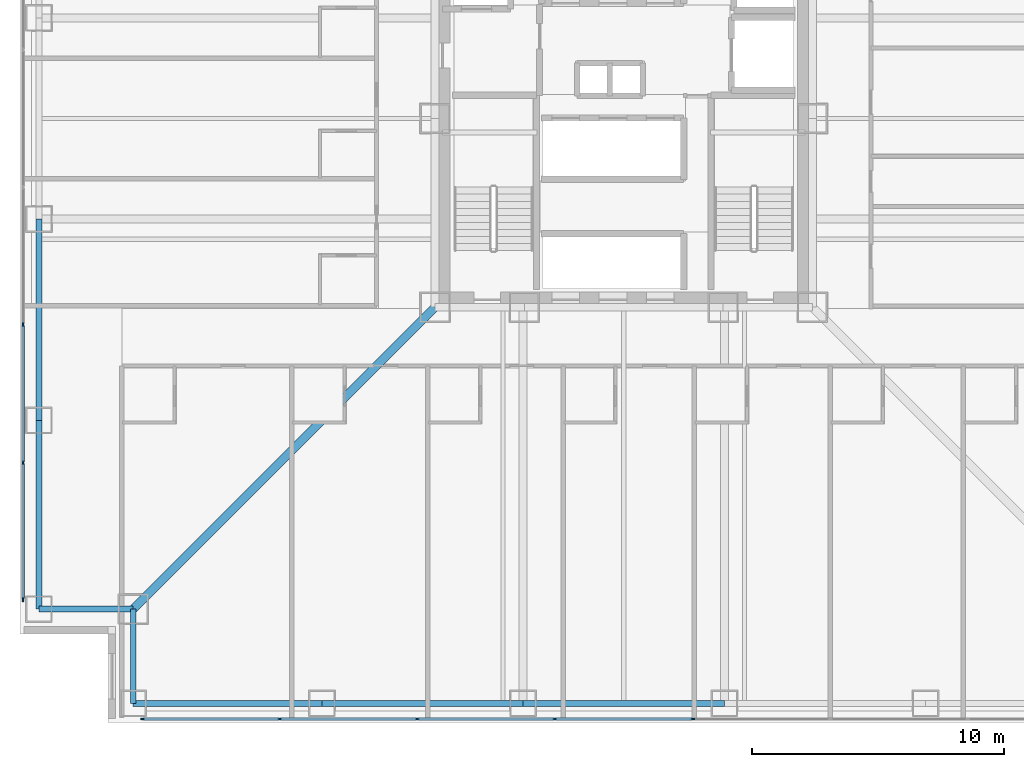
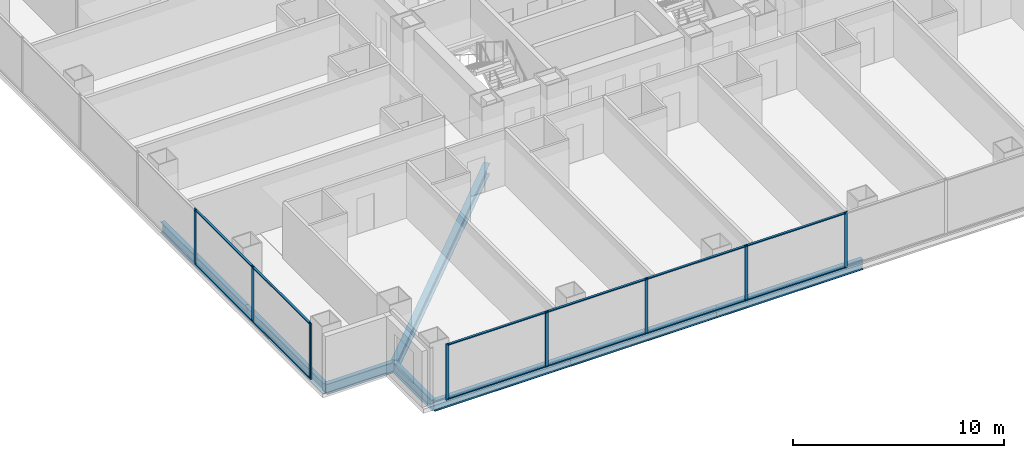
# One storey, part 2 of 17: 20 members, 8 beams, 2 elements without a shape of their own.
"""IFC4 building model written with IfcOpenShell, lengths in metres."""

from ifc_helpers import new_model, si_unit, direction, frame, origin, origin_2d, place, context, subcontext, project, spatial, rectangle, i_section, extrude, material, layer, layer_set, material_profile, profile_set, type_object, element, aggregate, save


model = new_model("IFC4")

# Units and contexts
model_context = context("Model", 3, precision=1e-05, world=origin(), true_north=direction((0.0, 1.0)))
body_context = subcontext(model_context, "Body", "Model", "MODEL_VIEW")
ifc_project = project(units=[si_unit("LENGTHUNIT", "METRE"), si_unit("AREAUNIT", "SQUARE_METRE"), si_unit("VOLUMEUNIT", "CUBIC_METRE"), si_unit("PLANEANGLEUNIT", "RADIAN"), si_unit("MASSUNIT", "GRAM", prefix="KILO")], contexts=[model_context])

# Site, building, storey
site_placement = place(None, origin())
site = spatial("IfcSite", under=ifc_project, at=site_placement, CompositionType="ELEMENT")
building_placement = place(site_placement, origin())
building = spatial("IfcBuilding", under=site, at=building_placement, Name="Trevonay Congress Spire", CompositionType="ELEMENT")
storey_placement = place(building_placement, frame((0.0, 0.0, 30.5)))
storey = spatial("IfcBuildingStorey", under=building, at=storey_placement, Name="L06", CompositionType="ELEMENT", Elevation=30.5)

# Beams
ifc_material_1 = material(Name="Steel ASTM A572 Grade 50", Category="steel")
ifc_material_profile_1 = material_profile(ifc_material_1, i_section(OverallWidth=0.324951171875, OverallDepth=0.615966796875, WebThickness=0.013916015625, FlangeThickness=0.021484375, FilletRadius=0.01806640625, at=origin_2d()), Name="W610x174")
ifc_profile_set_1 = profile_set([ifc_material_profile_1], Name="Steel ASTM A572 Grade 50")
beam_type_1 = type_object("IfcBeamType", Name="BM-GIRD-W610X174", PredefinedType="BEAM", material=ifc_profile_set_1)
beam_placement = place(storey_placement, frame((-7.5, -7.5, -0.55810546875), z_axis=(-0.707106781187, -0.707106781187, 0.0), x_axis=(0.707106781187, -0.707106781187, 0.0)))
element("IfcBeam", 1, at=beam_placement, inside=storey, type_object=beam_type_1, Name="L06 structural beam BM-L06-CDSW", PredefinedType="BEAM", context=body_context, shape_type="SweptSolid", body=[
    extrude(i_section(OverallWidth=0.324951171875, OverallDepth=0.615966796875, WebThickness=0.013916015625, FlangeThickness=0.021484375, FilletRadius=0.01806640625, at=origin_2d()), origin(), (0.0, 0.0, 1.0), 16.970458984375),
])
ifc_material_profile_2 = material_profile(ifc_material_1, i_section(OverallWidth=0.22998046875, OverallDepth=0.616943359375, WebThickness=0.01318359375, FlangeThickness=0.022216796875, FilletRadius=0.01611328125, at=origin_2d()), Name="W610x140")
ifc_profile_set_2 = profile_set([ifc_material_profile_2], Name="Steel ASTM A572 Grade 50")
beam_type_2 = type_object("IfcBeamType", Name="BM-RING-W610X140", PredefinedType="BEAM", material=ifc_profile_set_2)
for number, where, z_axis, x_axis, name in (
    (2, (-19.5, -23.25, -0.55859375), (1.0, 0.0, 0.0), (0.0, 1.0, 0.0), "L06 structural beam BM-L06-PS1"),
    (3, (-23.25, -19.5, -0.55859375), (0.0, 1.0, 0.0), (-1.0, 0.0, 0.0), "L06 structural beam BM-L06-PW1"),
):
    element("IfcBeam", number, at=place(storey_placement, frame(where, z_axis=z_axis, x_axis=x_axis)), inside=storey, type_object=beam_type_2, Name=name, PredefinedType="BEAM", context=body_context, shape_type="SweptSolid", body=[
        extrude(i_section(OverallWidth=0.22998046875, OverallDepth=0.616943359375, WebThickness=0.01318359375, FlangeThickness=0.022216796875, FilletRadius=0.01611328125, at=origin_2d()), origin(), (0.0, 0.0, 1.0), 7.5),
    ])
for number, where, z_axis, x_axis, name in (
    (4, (-12.0, -23.25, -0.55859375), (1.0, 0.0, 0.0), (0.0, 1.0, 0.0), "L06 structural beam BM-L06-PS2"),
    (5, (-23.25, -12.0, -0.55859375), (0.0, 1.0, 0.0), (-1.0, 0.0, 0.0), "L06 structural beam BM-L06-PW2"),
    (6, (-4.0, -23.25, -0.55859375), (1.0, 0.0, 0.0), (0.0, 1.0, 0.0), "L06 structural beam BM-L06-PS3"),
):
    element("IfcBeam", number, at=place(storey_placement, frame(where, z_axis=z_axis, x_axis=x_axis)), inside=storey, type_object=beam_type_2, Name=name, PredefinedType="BEAM", context=body_context, shape_type="SweptSolid", body=[
        extrude(i_section(OverallWidth=0.22998046875, OverallDepth=0.616943359375, WebThickness=0.01318359375, FlangeThickness=0.022216796875, FilletRadius=0.01611328125, at=origin_2d()), origin(), (0.0, 0.0, 1.0), 8.0),
    ])
for number, where, z_axis, x_axis, name in (
    (7, (-19.5, -23.25, -0.55859375), (0.0, 1.0, 0.0), (-1.0, 0.0, 0.0), "L06 structural beam BM-L06-N1SW"),
    (8, (-23.25, -19.5, -0.55859375), (1.0, 0.0, 0.0), (0.0, 1.0, 0.0), "L06 structural beam BM-L06-N2SW"),
):
    element("IfcBeam", number, at=place(storey_placement, frame(where, z_axis=z_axis, x_axis=x_axis)), inside=storey, type_object=beam_type_2, Name=name, PredefinedType="BEAM", context=body_context, shape_type="SweptSolid", body=[
        extrude(i_section(OverallWidth=0.22998046875, OverallDepth=0.616943359375, WebThickness=0.01318359375, FlangeThickness=0.022216796875, FilletRadius=0.01611328125, at=origin_2d()), origin(), (0.0, 0.0, 1.0), 3.75),
    ])

# Curtain wall, members
ifc_material_2 = material(Name="Pale Anodised Aluminium EN AW-6063-T6", Category="aluminium")
ifc_layer = layer(ifc_material_2, 0.179931640625, Name="Pale Anodised Aluminium EN AW-6063-T6")
ifc_layer_set = layer_set([ifc_layer], Name="Pale Anodised Aluminium EN AW-6063-T6")
curtain_wall_type = type_object("IfcCurtainWallType", Name="CW-SYS02-HOTEL-PALE-METAL", PredefinedType="NOTDEFINED", material=ifc_layer_set)
curtain_wall_1_placement = place(storey_placement, origin())
curtain_wall_1 = element("IfcCurtainWall", 9, at=curtain_wall_1_placement, inside=storey, type_object=curtain_wall_type, Name="L06 S unitised curtain wall", PredefinedType="NOTDEFINED")
ifc_material_profile_3 = material_profile(ifc_material_2, rectangle(XDim=0.06005859375, YDim=0.159912109375, at=origin_2d()), Name="CW-MULLION-160-ALUMINIUM")
ifc_profile_set_3 = profile_set([ifc_material_profile_3], Name="Pale Anodised Aluminium EN AW-6063-T6")
member_type_1 = type_object("IfcMemberType", Name="CW-MULLION-160-ALUMINIUM", PredefinedType="MULLION", material=ifc_profile_set_3)
member_1_placement = place(storey_placement, frame((-19.1201171875, -23.8798828125, 0.0), z_axis=(0.0, 0.0, 1.0), x_axis=(0.0, 1.0, 0.0)))
member_1 = element("IfcMember", 10, at=member_1_placement, type_object=member_type_1, Name="CW02 mullion 1", PredefinedType="MULLION", context=body_context, shape_type="SweptSolid", body=[
    extrude(rectangle(XDim=0.06005859375, YDim=0.159912109375, at=origin_2d()), origin(), (0.0, 0.0, 1.0), 3.25),
])
member_2_placement = place(storey_placement, frame((-13.678466796875, -23.8798828125, 0.0), z_axis=(0.0, 0.0, 1.0), x_axis=(0.0, 1.0, 0.0)))
member_2 = element("IfcMember", 11, at=member_2_placement, type_object=member_type_1, Name="CW02 mullion 2", PredefinedType="MULLION", context=body_context, shape_type="SweptSolid", body=[
    extrude(rectangle(XDim=0.06005859375, YDim=0.159912109375, at=origin_2d()), origin(), (0.0, 0.0, 1.0), 3.25),
])
member_3_placement = place(storey_placement, frame((-8.20703125, -23.8798828125, 0.0), z_axis=(0.0, 0.0, 1.0), x_axis=(0.0, 1.0, 0.0)))
member_3 = element("IfcMember", 12, at=member_3_placement, type_object=member_type_1, Name="CW02 mullion 3", PredefinedType="MULLION", context=body_context, shape_type="SweptSolid", body=[
    extrude(rectangle(XDim=0.06005859375, YDim=0.159912109375, at=origin_2d()), origin(), (0.0, 0.0, 1.0), 3.25),
])
member_4_placement = place(storey_placement, frame((-2.735595703125, -23.8798828125, 0.0), z_axis=(0.0, 0.0, 1.0), x_axis=(0.0, 1.0, 0.0)))
member_4 = element("IfcMember", 13, at=member_4_placement, type_object=member_type_1, Name="CW02 mullion 4", PredefinedType="MULLION", context=body_context, shape_type="SweptSolid", body=[
    extrude(rectangle(XDim=0.06005859375, YDim=0.159912109375, at=origin_2d()), origin(), (0.0, 0.0, 1.0), 3.25),
])
member_5_placement = place(storey_placement, frame((2.735595703125, -23.8798828125, 0.0), z_axis=(0.0, 0.0, 1.0), x_axis=(0.0, 1.0, 0.0)))
member_5 = element("IfcMember", 14, at=member_5_placement, type_object=member_type_1, Name="CW02 mullion 5", PredefinedType="MULLION", context=body_context, shape_type="SweptSolid", body=[
    extrude(rectangle(XDim=0.06005859375, YDim=0.159912109375, at=origin_2d()), origin(), (0.0, 0.0, 1.0), 3.25),
])

curtain_wall_2_placement = place(storey_placement, origin())
curtain_wall_2 = element("IfcCurtainWall", 15, at=curtain_wall_2_placement, inside=storey, type_object=curtain_wall_type, Name="L06 W unitised curtain wall", PredefinedType="NOTDEFINED")
member_6_placement = place(storey_placement, frame((-23.8798828125, -19.1201171875, 0.0), z_axis=(0.0, 0.0, 1.0), x_axis=(-1.0, 0.0, 0.0)))
member_6 = element("IfcMember", 16, at=member_6_placement, type_object=member_type_1, Name="CW02 mullion 1", PredefinedType="MULLION", context=body_context, shape_type="SweptSolid", body=[
    extrude(rectangle(XDim=0.06005859375, YDim=0.159912109375, at=origin_2d()), origin(), (0.0, 0.0, 1.0), 3.25),
])
member_7_placement = place(storey_placement, frame((-23.8798828125, -13.678466796875, 0.0), z_axis=(0.0, 0.0, 1.0), x_axis=(-1.0, 0.0, 0.0)))
member_7 = element("IfcMember", 17, at=member_7_placement, type_object=member_type_1, Name="CW02 mullion 2", PredefinedType="MULLION", context=body_context, shape_type="SweptSolid", body=[
    extrude(rectangle(XDim=0.06005859375, YDim=0.159912109375, at=origin_2d()), origin(), (0.0, 0.0, 1.0), 3.25),
])
member_8_placement = place(storey_placement, frame((-23.8798828125, -8.20703125, 0.0), z_axis=(0.0, 0.0, 1.0), x_axis=(-1.0, 0.0, 0.0)))
member_8 = element("IfcMember", 18, at=member_8_placement, type_object=member_type_1, Name="CW02 mullion 3", PredefinedType="MULLION", context=body_context, shape_type="SweptSolid", body=[
    extrude(rectangle(XDim=0.06005859375, YDim=0.159912109375, at=origin_2d()), origin(), (0.0, 0.0, 1.0), 3.25),
])

# Member
ifc_material_profile_4 = material_profile(ifc_material_2, rectangle(XDim=0.1201171875, YDim=0.06005859375, at=origin_2d()), Name="CW-TRANSOM-120-ALUMINIUM")
ifc_profile_set_4 = profile_set([ifc_material_profile_4], Name="Pale Anodised Aluminium EN AW-6063-T6")
member_type_2 = type_object("IfcMemberType", Name="CW-TRANSOM-120-ALUMINIUM", PredefinedType="USERDEFINED", material=ifc_profile_set_4)
member_9_placement = place(storey_placement, frame((-19.090087890625, -23.8798828125, 0.06005859375), z_axis=(1.0, 0.0, 0.0), x_axis=(0.0, 1.0, 0.0)))
member_9 = element("IfcMember", 19, at=member_9_placement, type_object=member_type_2, Name="CW02 transom 1.1", ObjectType="TRANSOM", PredefinedType="USERDEFINED", context=body_context, shape_type="SweptSolid", body=[
    extrude(rectangle(XDim=0.1201171875, YDim=0.06005859375, at=origin_2d()), origin(), (0.0, 0.0, 1.0), 5.381591796875),
])

member_10_placement = place(storey_placement, frame((-19.090087890625, -23.8798828125, 3.18994140625), z_axis=(1.0, 0.0, 0.0), x_axis=(0.0, 1.0, 0.0)))
member_10 = element("IfcMember", 20, at=member_10_placement, type_object=member_type_2, Name="CW02 transom 1.2", ObjectType="TRANSOM", PredefinedType="USERDEFINED", context=body_context, shape_type="SweptSolid", body=[
    extrude(rectangle(XDim=0.1201171875, YDim=0.06005859375, at=origin_2d()), origin(), (0.0, 0.0, 1.0), 5.381591796875),
])

member_11_placement = place(storey_placement, frame((-13.648681640625, -23.8798828125, 0.06005859375), z_axis=(1.0, 0.0, 0.0), x_axis=(0.0, 1.0, 0.0)))
member_11 = element("IfcMember", 21, at=member_11_placement, type_object=member_type_2, Name="CW02 transom 2.1", ObjectType="TRANSOM", PredefinedType="USERDEFINED", context=body_context, shape_type="SweptSolid", body=[
    extrude(rectangle(XDim=0.1201171875, YDim=0.06005859375, at=origin_2d()), origin(), (0.0, 0.0, 1.0), 5.41162109375),
])

member_12_placement = place(storey_placement, frame((-13.648681640625, -23.8798828125, 3.18994140625), z_axis=(1.0, 0.0, 0.0), x_axis=(0.0, 1.0, 0.0)))
member_12 = element("IfcMember", 22, at=member_12_placement, type_object=member_type_2, Name="CW02 transom 2.2", ObjectType="TRANSOM", PredefinedType="USERDEFINED", context=body_context, shape_type="SweptSolid", body=[
    extrude(rectangle(XDim=0.1201171875, YDim=0.06005859375, at=origin_2d()), origin(), (0.0, 0.0, 1.0), 5.41162109375),
])

member_13_placement = place(storey_placement, frame((-8.17724609375, -23.8798828125, 0.06005859375), z_axis=(1.0, 0.0, 0.0), x_axis=(0.0, 1.0, 0.0)))
member_13 = element("IfcMember", 23, at=member_13_placement, type_object=member_type_2, Name="CW02 transom 3.1", ObjectType="TRANSOM", PredefinedType="USERDEFINED", context=body_context, shape_type="SweptSolid", body=[
    extrude(rectangle(XDim=0.1201171875, YDim=0.06005859375, at=origin_2d()), origin(), (0.0, 0.0, 1.0), 5.41162109375),
])

member_14_placement = place(storey_placement, frame((-8.17724609375, -23.8798828125, 3.18994140625), z_axis=(1.0, 0.0, 0.0), x_axis=(0.0, 1.0, 0.0)))
member_14 = element("IfcMember", 24, at=member_14_placement, type_object=member_type_2, Name="CW02 transom 3.2", ObjectType="TRANSOM", PredefinedType="USERDEFINED", context=body_context, shape_type="SweptSolid", body=[
    extrude(rectangle(XDim=0.1201171875, YDim=0.06005859375, at=origin_2d()), origin(), (0.0, 0.0, 1.0), 5.41162109375),
])

member_15_placement = place(storey_placement, frame((-2.705810546875, -23.8798828125, 0.06005859375), z_axis=(1.0, 0.0, 0.0), x_axis=(0.0, 1.0, 0.0)))
member_15 = element("IfcMember", 25, at=member_15_placement, type_object=member_type_2, Name="CW02 transom 4.1", ObjectType="TRANSOM", PredefinedType="USERDEFINED", context=body_context, shape_type="SweptSolid", body=[
    extrude(rectangle(XDim=0.1201171875, YDim=0.06005859375, at=origin_2d()), origin(), (0.0, 0.0, 1.0), 5.41162109375),
])

member_16_placement = place(storey_placement, frame((-2.705810546875, -23.8798828125, 3.18994140625), z_axis=(1.0, 0.0, 0.0), x_axis=(0.0, 1.0, 0.0)))
member_16 = element("IfcMember", 26, at=member_16_placement, type_object=member_type_2, Name="CW02 transom 4.2", ObjectType="TRANSOM", PredefinedType="USERDEFINED", context=body_context, shape_type="SweptSolid", body=[
    extrude(rectangle(XDim=0.1201171875, YDim=0.06005859375, at=origin_2d()), origin(), (0.0, 0.0, 1.0), 5.41162109375),
])

aggregate(curtain_wall_1, [member_1, member_2, member_3, member_4, member_5, member_9, member_10, member_11, member_12, member_13, member_14, member_15, member_16])

member_17_placement = place(storey_placement, frame((-23.8798828125, -19.090087890625, 0.06005859375), z_axis=(0.0, 1.0, 0.0), x_axis=(-1.0, 0.0, 0.0)))
member_17 = element("IfcMember", 27, at=member_17_placement, type_object=member_type_2, Name="CW02 transom 1.1", ObjectType="TRANSOM", PredefinedType="USERDEFINED", context=body_context, shape_type="SweptSolid", body=[
    extrude(rectangle(XDim=0.1201171875, YDim=0.06005859375, at=origin_2d()), origin(), (0.0, 0.0, 1.0), 5.381591796875),
])

member_18_placement = place(storey_placement, frame((-23.8798828125, -19.090087890625, 3.18994140625), z_axis=(0.0, 1.0, 0.0), x_axis=(-1.0, 0.0, 0.0)))
member_18 = element("IfcMember", 28, at=member_18_placement, type_object=member_type_2, Name="CW02 transom 1.2", ObjectType="TRANSOM", PredefinedType="USERDEFINED", context=body_context, shape_type="SweptSolid", body=[
    extrude(rectangle(XDim=0.1201171875, YDim=0.06005859375, at=origin_2d()), origin(), (0.0, 0.0, 1.0), 5.381591796875),
])

member_19_placement = place(storey_placement, frame((-23.8798828125, -13.648681640625, 0.06005859375), z_axis=(0.0, 1.0, 0.0), x_axis=(-1.0, 0.0, 0.0)))
member_19 = element("IfcMember", 29, at=member_19_placement, type_object=member_type_2, Name="CW02 transom 2.1", ObjectType="TRANSOM", PredefinedType="USERDEFINED", context=body_context, shape_type="SweptSolid", body=[
    extrude(rectangle(XDim=0.1201171875, YDim=0.06005859375, at=origin_2d()), origin(), (0.0, 0.0, 1.0), 5.41162109375),
])

member_20_placement = place(storey_placement, frame((-23.8798828125, -13.648681640625, 3.18994140625), z_axis=(0.0, 1.0, 0.0), x_axis=(-1.0, 0.0, 0.0)))
member_20 = element("IfcMember", 30, at=member_20_placement, type_object=member_type_2, Name="CW02 transom 2.2", ObjectType="TRANSOM", PredefinedType="USERDEFINED", context=body_context, shape_type="SweptSolid", body=[
    extrude(rectangle(XDim=0.1201171875, YDim=0.06005859375, at=origin_2d()), origin(), (0.0, 0.0, 1.0), 5.41162109375),
])

aggregate(curtain_wall_2, [member_6, member_7, member_8, member_17, member_18, member_19, member_20])

save(model, "model.ifc")
